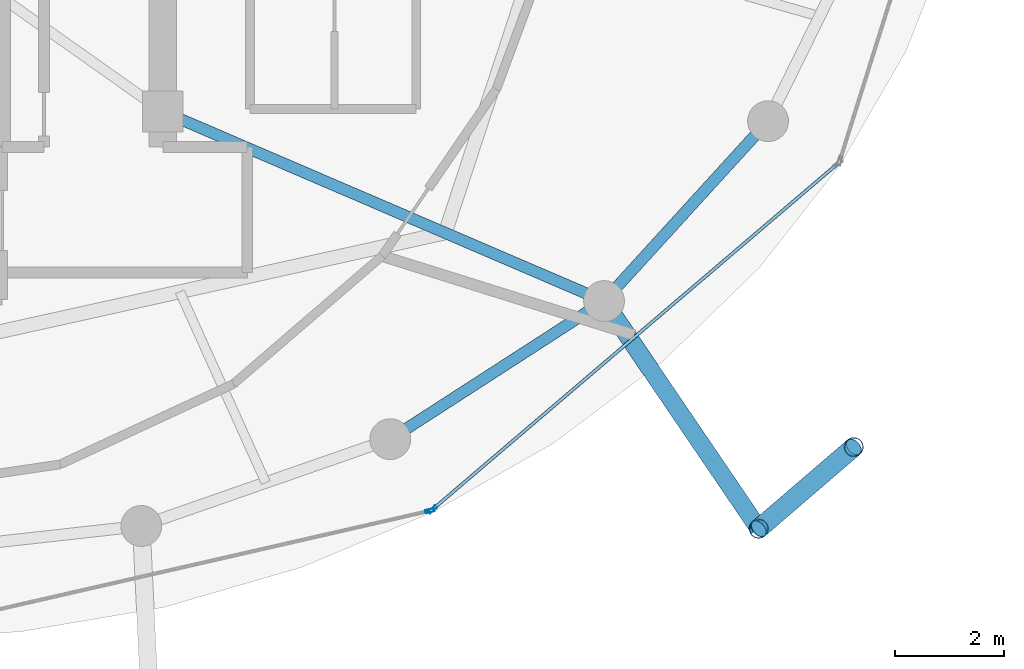
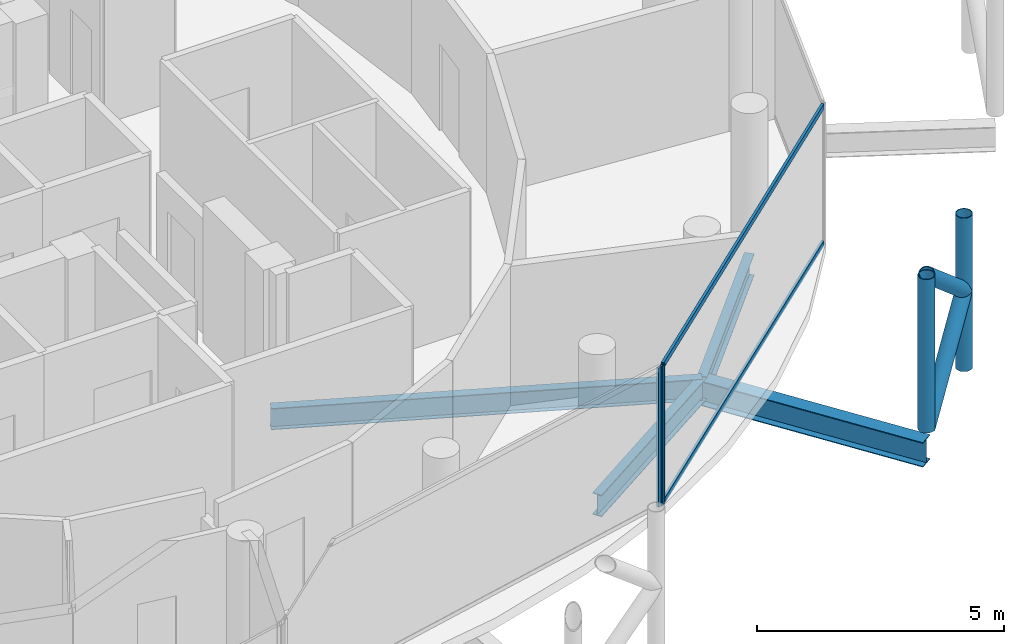
# One storey, part 9 of 24: 8 members, 4 beams, 2 elements without a shape of their own.
"""IFC4 building model written with IfcOpenShell, lengths in metres."""

from ifc_helpers import new_model, si_unit, direction, frame, origin, origin_2d, place, context, subcontext, project, spatial, hollow_rectangle, hollow_circle, i_section, extrude, material, layer, layer_set, material_profile, profile_set, type_object, element, aggregate, save


model = new_model("IFC4")

# Units and contexts
model_context = context("Model", 3, precision=1e-05, world=origin(), true_north=direction((0.0, 1.0)))
body_context = subcontext(model_context, "Body", "Model", "MODEL_VIEW")
ifc_project = project(units=[si_unit("LENGTHUNIT", "METRE"), si_unit("AREAUNIT", "SQUARE_METRE"), si_unit("VOLUMEUNIT", "CUBIC_METRE"), si_unit("PLANEANGLEUNIT", "RADIAN"), si_unit("MASSUNIT", "GRAM", prefix="KILO")], contexts=[model_context])

# Site, building, storey
site_placement = place(None, origin())
site = spatial("IfcSite", under=ifc_project, at=site_placement, CompositionType="ELEMENT")
building_placement = place(site_placement, origin())
building = spatial("IfcBuilding", under=site, at=building_placement, Name="Nuhasar Tower", CompositionType="ELEMENT")
storey_placement = place(building_placement, frame((0.0, 0.0, 297.39990234375)))
storey = spatial("IfcBuildingStorey", under=building, at=storey_placement, Name="L74", CompositionType="ELEMENT", Elevation=297.39990234375)

# Beams
ifc_material_1 = material(Name="Steel S355", Category="steel")
ifc_material_profile_1 = material_profile(ifc_material_1, i_section(OverallWidth=0.208984375, OverallDepth=0.528076171875, WebThickness=0.009521484375, FlangeThickness=0.01318359375, at=origin_2d()), Name="W21X55")
ifc_profile_set_1 = profile_set([ifc_material_profile_1], Name="Steel S355")
beam_type_1 = type_object("IfcBeamType", Name="BM-RAD-W21X55", PredefinedType="BEAM", material=ifc_profile_set_1)
beam_1_placement = place(storey_placement, frame((44.300048828125, 19.0, -0.52392578125), z_axis=(0.91887119061, -0.394557644797, 0.0), x_axis=(0.394557644797, 0.91887119061, 0.0)))
element("IfcBeam", 1, at=beam_1_placement, inside=storey, type_object=beam_type_1, Name="L74 Radial Floor Girder 03", PredefinedType="BEAM", context=body_context, shape_type="SweptSolid", body=[
    extrude(i_section(OverallWidth=0.208984375, OverallDepth=0.528076171875, WebThickness=0.009521484375, FlangeThickness=0.01318359375, at=origin_2d()), origin(), (0.0, 0.0, 1.0), 8.81494140625),
])
ifc_material_profile_2 = material_profile(ifc_material_1, i_section(OverallWidth=0.2099609375, OverallDepth=0.537109375, WebThickness=0.010986328125, FlangeThickness=0.017333984375, at=origin_2d()), Name="W21X68")
ifc_profile_set_2 = profile_set([ifc_material_profile_2], Name="Steel S355")
beam_type_2 = type_object("IfcBeamType", Name="BM-RING-W21X68", PredefinedType="SPANDREL", material=ifc_profile_set_2)
beam_2_placement = place(storey_placement, frame((48.47509765625, 12.987060546875, -0.52880859375), z_axis=(0.840025485934, 0.542546940809, 0.0), x_axis=(-0.542546940809, 0.840025485934, 0.0)))
element("IfcBeam", 2, at=beam_2_placement, inside=storey, type_object=beam_type_2, Name="L74 Perimeter Ring Spandrel 21", PredefinedType="SPANDREL", context=body_context, shape_type="SweptSolid", body=[
    extrude(i_section(OverallWidth=0.2099609375, OverallDepth=0.537109375, WebThickness=0.010986328125, FlangeThickness=0.017333984375, at=origin_2d()), origin(), (0.0, 0.0, 1.0), 4.67236328125),
])
beam_3_placement = place(storey_placement, frame((52.39990234375, 15.52197265625, -0.52880859375), z_axis=(0.673686302939, 0.739017432293, 0.0), x_axis=(-0.739017432293, 0.673686302939, 0.0)))
element("IfcBeam", 3, at=beam_3_placement, inside=storey, type_object=beam_type_2, Name="L74 Perimeter Ring Spandrel 22", PredefinedType="SPANDREL", context=body_context, shape_type="SweptSolid", body=[
    extrude(i_section(OverallWidth=0.2099609375, OverallDepth=0.537109375, WebThickness=0.010986328125, FlangeThickness=0.017333984375, at=origin_2d()), origin(), (0.0, 0.0, 1.0), 4.469482421875),
])
ifc_material_profile_3 = material_profile(ifc_material_1, i_section(OverallWidth=0.323974609375, OverallDepth=0.611083984375, WebThickness=0.0126953125, FlangeThickness=0.01904296875, at=origin_2d()), Name="W24X104")
ifc_profile_set_3 = profile_set([ifc_material_profile_3], Name="Steel S355")
beam_type_3 = type_object("IfcBeamType", Name="BM-TIE-W24X104", PredefinedType="BEAM", material=ifc_profile_set_3)
beam_4_placement = place(storey_placement, frame((52.39990234375, 15.52197265625, -0.56591796875), z_axis=(0.562093254487, -0.827073862034, 0.0), x_axis=(0.827073862034, 0.562093254487, 0.0)))
element("IfcBeam", 4, at=beam_4_placement, inside=storey, type_object=beam_type_3, Name="L74 Exoskeleton Node Tie Beam 11", PredefinedType="BEAM", context=body_context, shape_type="SweptSolid", body=[
    extrude(i_section(OverallWidth=0.323974609375, OverallDepth=0.611083984375, WebThickness=0.0126953125, FlangeThickness=0.01904296875, at=origin_2d()), origin(), (0.0, 0.0, 1.0), 5.052734375),
])

# Curtain wall, member
ifc_material_2 = material(Name="Aluminium 6063-T6", Category="aluminium")
ifc_layer = layer(ifc_material_2, 0.18994140625)
ifc_layer_set = layer_set([ifc_layer], Name="Aluminium 6063-T6")
curtain_wall_type = type_object("IfcCurtainWallType", Name="CW-Z4-PEN", PredefinedType="NOTDEFINED", material=ifc_layer_set)
curtain_wall_1_placement = place(storey_placement, origin())
curtain_wall_1 = element("IfcCurtainWall", 5, at=curtain_wall_1_placement, inside=storey, type_object=curtain_wall_type, Name="L74 Unitised Curtain Wall 10", PredefinedType="NOTDEFINED")
ifc_material_profile_4 = material_profile(ifc_material_2, hollow_rectangle(XDim=0.06005859375, YDim=0.1650390625, WallThickness=0.0048828125, at=origin_2d()), Name="CWM-5")
ifc_profile_set_4 = profile_set([ifc_material_profile_4], Name="Aluminium 6063-T6")
member_type_1 = type_object("IfcMemberType", Name="CW-MUL-S5", PredefinedType="MULLION", material=ifc_profile_set_4)
member_1_placement = place(storey_placement, frame((49.20068359375, 11.67236328125, 0.0), z_axis=(0.0, 0.0, 1.0), x_axis=(-0.222889487645, 0.97484371891, 0.0)))
member_1 = element("IfcMember", 6, at=member_1_placement, type_object=member_type_1, Name="CW-Z4 mullion 2", PredefinedType="MULLION", context=body_context, shape_type="SweptSolid", body=[
    extrude(hollow_rectangle(XDim=0.06005859375, YDim=0.1650390625, WallThickness=0.0048828125, at=origin_2d()), origin(), (0.0, 0.0, 1.0), 3.4501953125),
])
aggregate(curtain_wall_1, [member_1])

# Curtain wall, members
curtain_wall_2_placement = place(storey_placement, origin())
curtain_wall_2 = element("IfcCurtainWall", 7, at=curtain_wall_2_placement, inside=storey, type_object=curtain_wall_type, Name="L74 Unitised Curtain Wall 11", PredefinedType="NOTDEFINED")
member_2_placement = place(storey_placement, frame((49.2529296875, 11.698486328125, 0.0), z_axis=(0.0, 0.0, 1.0), x_axis=(-0.649141996205, 0.760667252327, 0.0)))
member_2 = element("IfcMember", 8, at=member_2_placement, type_object=member_type_1, Name="CW-Z4 mullion 1", PredefinedType="MULLION", context=body_context, shape_type="SweptSolid", body=[
    extrude(hollow_rectangle(XDim=0.06005859375, YDim=0.1650390625, WallThickness=0.0048828125, at=origin_2d()), origin(), (0.0, 0.0, 1.0), 3.4501953125),
])
ifc_material_profile_5 = material_profile(ifc_material_2, hollow_rectangle(XDim=0.06005859375, YDim=0.135009765625, WallThickness=0.00439453125, at=origin_2d()), Name="CWT-5")
ifc_profile_set_5 = profile_set([ifc_material_profile_5], Name="Aluminium 6063-T6")
member_type_2 = type_object("IfcMemberType", Name="CW-TRN-S5", PredefinedType="USERDEFINED", material=ifc_profile_set_5)
member_3_placement = place(storey_placement, frame((49.275634765625, 11.718017578125, 0.030029296875), z_axis=(0.760672431431, 0.649135927261, 0.0), x_axis=(-0.649135927261, 0.760672431431, 0.0)))
member_3 = element("IfcMember", 9, at=member_3_placement, type_object=member_type_2, Name="CW-Z4 transom 1.1", ObjectType="TRANSOM", PredefinedType="USERDEFINED", context=body_context, shape_type="SweptSolid", body=[
    extrude(hollow_rectangle(XDim=0.06005859375, YDim=0.135009765625, WallThickness=0.00439453125, at=origin_2d()), origin(), (0.0, 0.0, 1.0), 9.72509765625),
])
member_4_placement = place(storey_placement, frame((49.275634765625, 11.718017578125, 3.420166015625), z_axis=(0.760672431431, 0.649135927261, 0.0), x_axis=(-0.649135927261, 0.760672431431, 0.0)))
member_4 = element("IfcMember", 10, at=member_4_placement, type_object=member_type_2, Name="CW-Z4 transom 1.2", ObjectType="TRANSOM", PredefinedType="USERDEFINED", context=body_context, shape_type="SweptSolid", body=[
    extrude(hollow_rectangle(XDim=0.06005859375, YDim=0.135009765625, WallThickness=0.00439453125, at=origin_2d()), origin(), (0.0, 0.0, 1.0), 9.72509765625),
])
aggregate(curtain_wall_2, [member_2, member_3, member_4])

# Members
ifc_material_3 = material(Name="Steel S460", Category="steel")
ifc_material_profile_6 = material_profile(ifc_material_3, hollow_circle(Radius=0.177734375, WallThickness=0.015869140625, at=origin_2d()), Name="HSS355.6X15.9")
ifc_profile_set_6 = profile_set([ifc_material_profile_6], Name="Steel S460")
member_type_3 = type_object("IfcMemberType", Name="EXO-BRONZE-356", PredefinedType="BRACE", material=ifc_profile_set_6)
for number, where, z_axis, x_axis, name in (
    (11, (55.239990234375, 11.343017578125, 0.0), (0.0, 0.0, 1.0), (1.0, 0.0, 0.0), "L74 Exoskeleton Chord Column EC-11A"),
    (12, (56.98388671875, 12.842041015625, 0.0), (0.0, 0.0, 1.0), (1.0, 0.0, 0.0), "L74 Exoskeleton Chord Column EC-11B"),
):
    element("IfcMember", number, at=place(storey_placement, frame(where, z_axis=z_axis, x_axis=x_axis)), inside=storey, type_object=member_type_3, Name=name, PredefinedType="BRACE", context=body_context, shape_type="SweptSolid", body=[
        extrude(hollow_circle(Radius=0.177734375, WallThickness=0.015869140625, at=origin_2d()), origin(), (0.0, 0.0, 1.0), 3.800048828125),
    ])
member_5_placement = place(storey_placement, frame((55.239990234375, 11.343017578125, 0.0), z_axis=(0.584594747408, 0.50250759472, 0.636973389203), x_axis=(-0.65185738425, 0.758341579104, 0.0)))
element("IfcMember", 13, at=member_5_placement, inside=storey, type_object=member_type_3, Name="L74 Bronze Diagrid Brace W1-11", PredefinedType="BRACE", context=body_context, shape_type="SweptSolid", body=[
    extrude(hollow_circle(Radius=0.177734375, WallThickness=0.015869140625, at=origin_2d()), origin(), (0.0, 0.0, 1.0), 2.983154296875),
])
member_6_placement = place(storey_placement, frame((56.98388671875, 12.842041015625, 1.900146484375), z_axis=(-0.584625223306, -0.502533791278, 0.636924749792), x_axis=(0.65185738425, -0.758341579104, 0.0)))
element("IfcMember", 14, at=member_6_placement, inside=storey, type_object=member_type_3, Name="L74 Bronze Diagrid Brace W2-11", PredefinedType="BRACE", context=body_context, shape_type="SweptSolid", body=[
    extrude(hollow_circle(Radius=0.177734375, WallThickness=0.015869140625, at=origin_2d()), origin(), (0.0, 0.0, 1.0), 2.98291015625),
])

save(model, "model.ifc")
